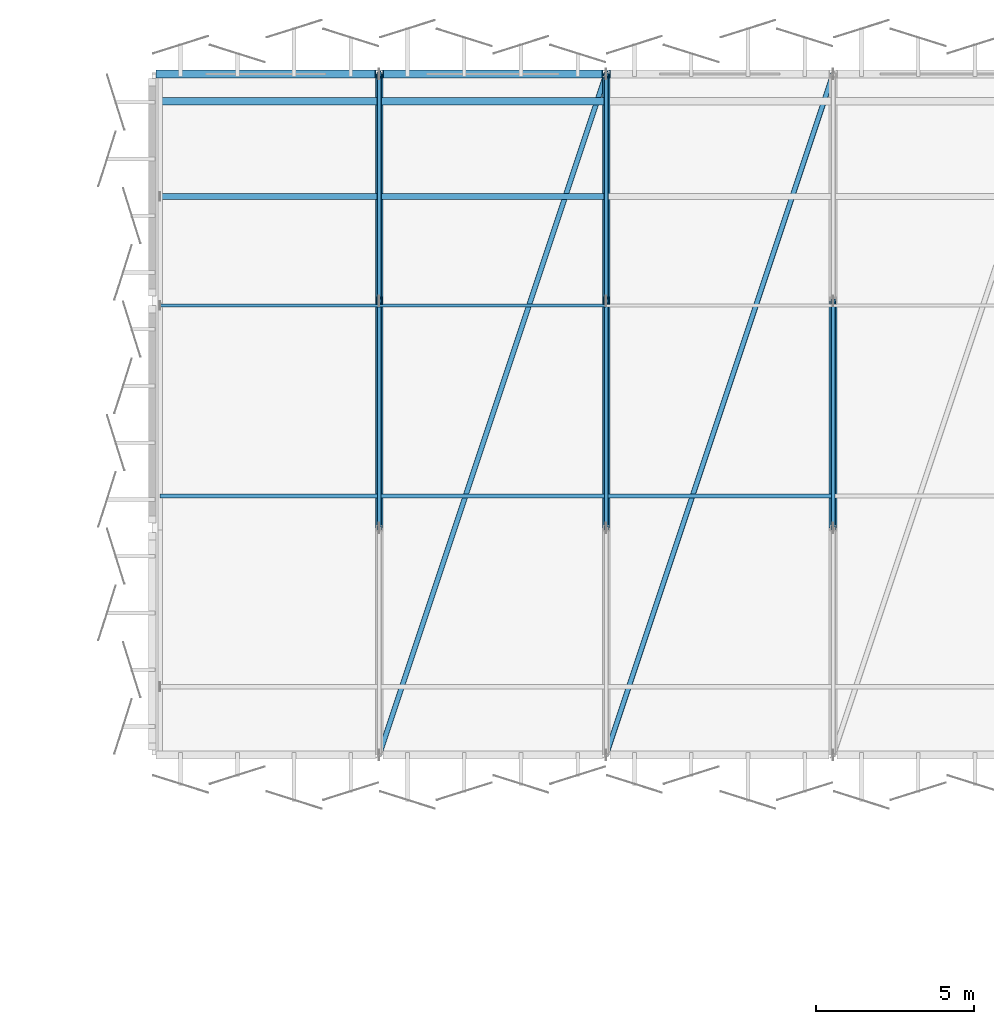
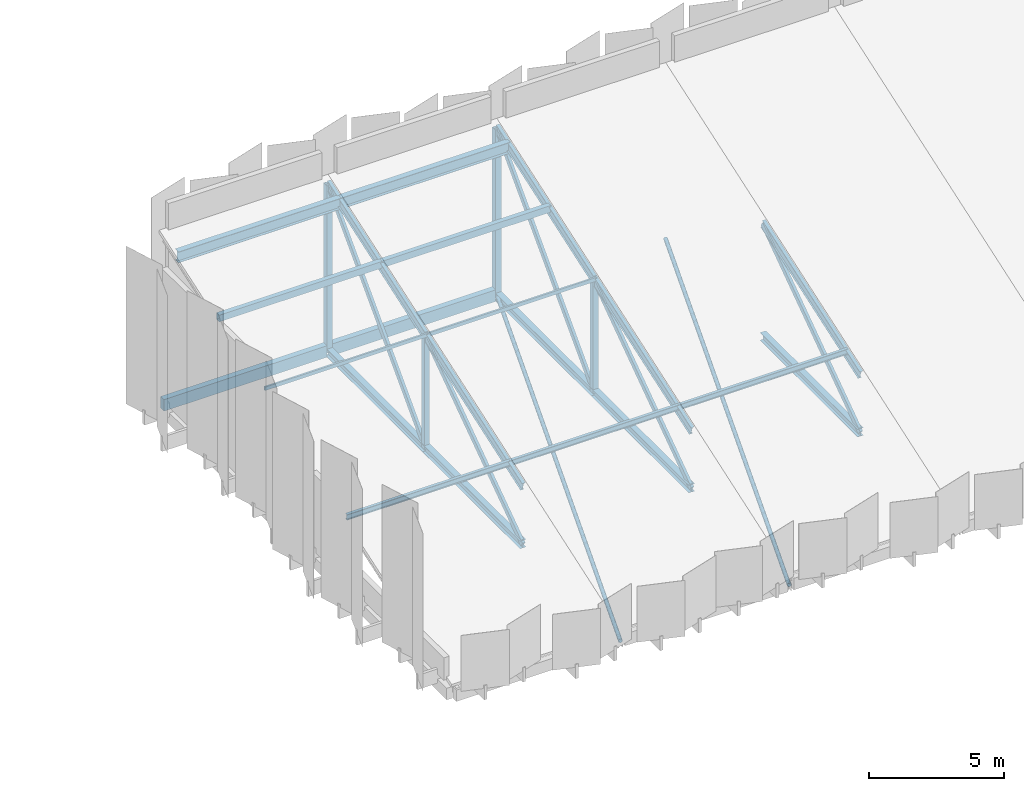
# One storey, part 11 of 59: 30 members, 2 beams.
"""IFC4 building model written with IfcOpenShell, lengths in metres."""

from ifc_helpers import new_model, si_unit, direction, frame, origin, origin_2d, place, context, subcontext, project, spatial, rectangle, hollow_rectangle, hollow_circle, i_section, extrude, material, material_profile, profile_set, type_object, element, save


model = new_model("IFC4")

# Units and contexts
model_context = context("Model", 3, precision=1e-05, world=origin(), true_north=direction((0.0, 1.0)))
body_context = subcontext(model_context, "Body", "Model", "MODEL_VIEW")
ifc_project = project(units=[si_unit("LENGTHUNIT", "METRE"), si_unit("AREAUNIT", "SQUARE_METRE"), si_unit("VOLUMEUNIT", "CUBIC_METRE"), si_unit("PLANEANGLEUNIT", "RADIAN"), si_unit("MASSUNIT", "GRAM", prefix="KILO")], contexts=[model_context])

# Site, building, storey
site_placement = place(None, origin())
site = spatial("IfcSite", under=ifc_project, at=site_placement, CompositionType="ELEMENT")
building_placement = place(site_placement, origin())
building = spatial("IfcBuilding", under=site, at=building_placement, Name="Kangsadwip Square Police Headquarters", CompositionType="ELEMENT")
storey_placement = place(building_placement, frame((0.0, 0.0, 21.60009765625)))
storey = spatial("IfcBuildingStorey", under=building, at=storey_placement, Name="L05", CompositionType="ELEMENT", Elevation=21.60009765625)

# Beams
ifc_material_1 = material(Name="Concrete M35 (35 MPa)", Category="concrete")
ifc_material_profile_1 = material_profile(ifc_material_1, rectangle(XDim=0.25, YDim=0.52001953125, at=origin_2d()), Name="RC SPN 520X250")
ifc_profile_set_1 = profile_set([ifc_material_profile_1], Name="Concrete M35 (35 MPa)")
beam_type = type_object("IfcBeamType", Name="RcSpandrel520x250", PredefinedType="SPANDREL", material=ifc_profile_set_1)
for number, where, z_axis, x_axis, name in (
    (1, (93.72509765625, 115.199951171875, -0.47998046875), (1.0, 0.0, 0.0), (0.0, 1.0, 0.0), "Beam BM-L05-X-13-16"),
    (2, (100.925048828125, 115.199951171875, -0.47998046875), (1.0, 0.0, 0.0), (0.0, 1.0, 0.0), "Beam BM-L05-X-14-16"),
):
    element("IfcBeam", number, at=place(storey_placement, frame(where, z_axis=z_axis, x_axis=x_axis)), inside=storey, type_object=beam_type, Name=name, PredefinedType="SPANDREL", context=body_context, shape_type="SweptSolid", body=[
        extrude(rectangle(XDim=0.25, YDim=0.52001953125, at=origin_2d()), origin(), (0.0, 0.0, 1.0), 6.949951171875),
    ])

# Members
ifc_material_2 = material(Name="Structural steel IS 2062 E350 (Grade 350, 350 MPa)", Category="steel")
ifc_material_profile_2 = material_profile(ifc_material_2, i_section(OverallWidth=0.125, OverallDepth=0.25, WebThickness=0.0068359375, FlangeThickness=0.012451171875, at=origin_2d()), Name="ISMB 250")
ifc_profile_set_2 = profile_set([ifc_material_profile_2], Name="Structural steel IS 2062 E350 (Grade 350, 350 MPa)")
member_type_1 = type_object("IfcMemberType", Name="RoofPurlinIsmb250", PredefinedType="PURLIN", material=ifc_profile_set_2)
member_1_placement = place(storey_placement, frame((93.85009765625, 101.80810546875, 2.5068359375), z_axis=(1.0, 0.0, 0.0), x_axis=(0.0, 1.0, 0.0)))
element("IfcMember", 3, at=member_1_placement, inside=storey, type_object=member_type_1, Name="Truss Member MEM-L05-0198", PredefinedType="PURLIN", context=body_context, shape_type="SweptSolid", body=[
    extrude(i_section(OverallWidth=0.125, OverallDepth=0.25, WebThickness=0.0068359375, FlangeThickness=0.012451171875, at=origin_2d()), origin(), (0.0, 0.0, 1.0), 6.949951171875),
])
for number, where, z_axis, x_axis, name in (
    (4, (100.800048828125, 101.80810546875, 2.5068359375), (1.0, 0.0, 0.0), (0.0, 1.0, 0.0), "Truss Member MEM-L05-0203"),
    (5, (108.0, 101.80810546875, 2.5068359375), (1.0, 0.0, 0.0), (0.0, 1.0, 0.0), "Truss Member MEM-L05-0209"),
):
    element("IfcMember", number, at=place(storey_placement, frame(where, z_axis=z_axis, x_axis=x_axis)), inside=storey, type_object=member_type_1, Name=name, PredefinedType="PURLIN", context=body_context, shape_type="SweptSolid", body=[
        extrude(i_section(OverallWidth=0.125, OverallDepth=0.25, WebThickness=0.0068359375, FlangeThickness=0.012451171875, at=origin_2d()), origin(), (0.0, 0.0, 1.0), 7.199951171875),
    ])
ifc_material_3 = material(Name="Structural steel IS 2062 E350 (Grade 350, 350 MPa)", Category="steel")
ifc_material_profile_3 = material_profile(ifc_material_3, hollow_rectangle(XDim=0.080078125, YDim=0.159912109375, WallThickness=0.006103515625, at=origin_2d()), Name="RHS 160X80X6")
ifc_profile_set_3 = profile_set([ifc_material_profile_3], Name="Structural steel IS 2062 E350 (Grade 350, 350 MPa)")
member_type_2 = type_object("IfcMemberType", Name="RoofPurlinRhs160", PredefinedType="PURLIN", material=ifc_profile_set_3)
member_2_placement = place(storey_placement, frame((93.85009765625, 107.85595703125, 4.6240234375), z_axis=(1.0, 0.0, 0.0), x_axis=(0.0, 1.0, 0.0)))
element("IfcMember", 6, at=member_2_placement, inside=storey, type_object=member_type_2, Name="Truss Member MEM-L05-0199", PredefinedType="PURLIN", context=body_context, shape_type="SweptSolid", body=[
    extrude(hollow_rectangle(XDim=0.080078125, YDim=0.159912109375, WallThickness=0.006103515625, at=origin_2d()), origin(), (0.0, 0.0, 1.0), 6.949951171875),
])
member_3_placement = place(storey_placement, frame((100.800048828125, 107.85595703125, 4.6240234375), z_axis=(1.0, 0.0, 0.0), x_axis=(0.0, 1.0, 0.0)))
element("IfcMember", 7, at=member_3_placement, inside=storey, type_object=member_type_2, Name="Truss Member MEM-L05-0204", PredefinedType="PURLIN", context=body_context, shape_type="SweptSolid", body=[
    extrude(hollow_rectangle(XDim=0.080078125, YDim=0.159912109375, WallThickness=0.006103515625, at=origin_2d()), origin(), (0.0, 0.0, 1.0), 7.199951171875),
])
ifc_material_4 = material(Name="Structural steel IS 2062 E350 (Grade 350, 350 MPa)", Category="steel")
ifc_material_profile_4 = material_profile(ifc_material_4, hollow_rectangle(XDim=0.199951171875, YDim=0.300048828125, WallThickness=0.011962890625, at=origin_2d()), Name="RHS 300X200X12")
ifc_profile_set_4 = profile_set([ifc_material_profile_4], Name="Structural steel IS 2062 E350 (Grade 350, 350 MPa)")
member_type_3 = type_object("IfcMemberType", Name="RoofPurlinRhs300", PredefinedType="PURLIN", material=ifc_profile_set_4)
member_4_placement = place(storey_placement, frame((93.85009765625, 111.31201171875, 5.73779296875), z_axis=(1.0, 0.0, 0.0), x_axis=(0.0, 1.0, 0.0)))
element("IfcMember", 8, at=member_4_placement, inside=storey, type_object=member_type_3, Name="Truss Member MEM-L05-0200", PredefinedType="PURLIN", context=body_context, shape_type="SweptSolid", body=[
    extrude(hollow_rectangle(XDim=0.199951171875, YDim=0.300048828125, WallThickness=0.011962890625, at=origin_2d()), origin(), (0.0, 0.0, 1.0), 6.949951171875),
])
member_5_placement = place(storey_placement, frame((100.800048828125, 111.31201171875, 5.73779296875), z_axis=(1.0, 0.0, 0.0), x_axis=(0.0, 1.0, 0.0)))
element("IfcMember", 9, at=member_5_placement, inside=storey, type_object=member_type_3, Name="Truss Member MEM-L05-0205", PredefinedType="PURLIN", context=body_context, shape_type="SweptSolid", body=[
    extrude(hollow_rectangle(XDim=0.199951171875, YDim=0.300048828125, WallThickness=0.011962890625, at=origin_2d()), origin(), (0.0, 0.0, 1.0), 7.199951171875),
])
ifc_material_5 = material(Name="Structural steel IS 2062 E350 (Grade 350, 350 MPa)", Category="steel")
ifc_material_profile_5 = material_profile(ifc_material_5, hollow_circle(Radius=0.083984375, WallThickness=0.008056640625, at=origin_2d()), Name="CHS 168X8")
ifc_profile_set_5 = profile_set([ifc_material_profile_5], Name="Structural steel IS 2062 E350 (Grade 350, 350 MPa)")
member_type_4 = type_object("IfcMemberType", Name="RoofWindBraceChs168", PredefinedType="BRACE", material=ifc_profile_set_5)
for number, where, z_axis, x_axis, name in (
    (10, (100.800048828125, 93.60009765625, -0.550048828125), (0.316227766017, 0.948683298051, 0.0), (-0.948683298051, 0.316227766017, 0.0), "Truss Member MEM-L05-0207"),
    (11, (108.0, 93.60009765625, -0.550048828125), (0.316227766017, 0.948683298051, 0.0), (-0.948683298051, 0.316227766017, 0.0), "Truss Member MEM-L05-0213"),
):
    element("IfcMember", number, at=place(storey_placement, frame(where, z_axis=z_axis, x_axis=x_axis)), inside=storey, type_object=member_type_4, Name=name, PredefinedType="BRACE", context=body_context, shape_type="SweptSolid", body=[
        extrude(hollow_circle(Radius=0.083984375, WallThickness=0.008056640625, at=origin_2d()), origin(), (0.0, 0.0, 1.0), 22.768310546875),
    ])
ifc_material_6 = material(Name="Structural steel IS 2062 E350 (Grade 350, 350 MPa)", Category="steel")
ifc_material_profile_6 = material_profile(ifc_material_6, i_section(OverallWidth=0.139892578125, OverallDepth=0.39990234375, WebThickness=0.0087890625, FlangeThickness=0.01611328125, at=origin_2d()), Name="ISMB 400")
ifc_profile_set_6 = profile_set([ifc_material_profile_6], Name="Structural steel IS 2062 E350 (Grade 350, 350 MPa)")
member_type_5 = type_object("IfcMemberType", Name="SawtoothRafterIsmb400", PredefinedType="RAFTER", material=ifc_profile_set_6)
for number, where, z_axis, x_axis, name in (
    (12, (100.800048828125, 100.800048828125, 2.046630859375), (0.0, 0.946026616665, 0.324088939275), (-1.0, 0.0, 0.0), "Truss Member MEM-L05-0126"),
    (13, (100.800048828125, 108.0, 4.51318359375), (0.0, 0.946016781172, 0.324117647993), (-1.0, 0.0, 0.0), "Truss Member MEM-L05-0127"),
    (14, (108.0, 100.800048828125, 2.046630859375), (0.0, 0.946026616665, 0.324088939275), (-1.0, 0.0, 0.0), "Truss Member MEM-L05-0138"),
    (15, (108.0, 108.0, 4.51318359375), (0.0, 0.946016781172, 0.324117647993), (-1.0, 0.0, 0.0), "Truss Member MEM-L05-0139"),
    (16, (115.199951171875, 100.800048828125, 2.046630859375), (0.0, 0.946026616665, 0.324088939275), (-1.0, 0.0, 0.0), "Truss Member MEM-L05-0150"),
):
    element("IfcMember", number, at=place(storey_placement, frame(where, z_axis=z_axis, x_axis=x_axis)), inside=storey, type_object=member_type_5, Name=name, PredefinedType="RAFTER", context=body_context, shape_type="SweptSolid", body=[
        extrude(i_section(OverallWidth=0.139892578125, OverallDepth=0.39990234375, WebThickness=0.0087890625, FlangeThickness=0.01611328125, at=origin_2d()), origin(), (0.0, 0.0, 1.0), 7.61083984375),
    ])
ifc_material_7 = material(Name="Structural steel IS 2062 E350 (Grade 350, 350 MPa)", Category="steel")
ifc_material_profile_7 = material_profile(ifc_material_7, i_section(OverallWidth=0.25, OverallDepth=0.35009765625, WebThickness=0.010009765625, FlangeThickness=0.01171875, at=origin_2d()), Name="ISHB 350")
ifc_profile_set_7 = profile_set([ifc_material_profile_7], Name="Structural steel IS 2062 E350 (Grade 350, 350 MPa)")
member_type_6 = type_object("IfcMemberType", Name="TrussBotChordIshb350", PredefinedType="CHORD", material=ifc_profile_set_7)
for number, where, z_axis, x_axis, name in (
    (17, (100.800048828125, 100.800048828125, -0.550048828125), (0.0, 1.0, 0.0), (-1.0, 0.0, 0.0), "Truss Member MEM-L05-0123"),
    (18, (100.800048828125, 108.0, -0.550048828125), (0.0, 1.0, 0.0), (-1.0, 0.0, 0.0), "Truss Member MEM-L05-0124"),
    (19, (108.0, 100.800048828125, -0.550048828125), (0.0, 1.0, 0.0), (-1.0, 0.0, 0.0), "Truss Member MEM-L05-0135"),
    (20, (108.0, 108.0, -0.550048828125), (0.0, 1.0, 0.0), (-1.0, 0.0, 0.0), "Truss Member MEM-L05-0136"),
    (21, (115.199951171875, 100.800048828125, -0.550048828125), (0.0, 1.0, 0.0), (-1.0, 0.0, 0.0), "Truss Member MEM-L05-0147"),
):
    element("IfcMember", number, at=place(storey_placement, frame(where, z_axis=z_axis, x_axis=x_axis)), inside=storey, type_object=member_type_6, Name=name, PredefinedType="CHORD", context=body_context, shape_type="SweptSolid", body=[
        extrude(i_section(OverallWidth=0.25, OverallDepth=0.35009765625, WebThickness=0.010009765625, FlangeThickness=0.01171875, at=origin_2d()), origin(), (0.0, 0.0, 1.0), 7.199951171875),
    ])
ifc_material_8 = material(Name="Structural steel IS 2062 E350 (Grade 350, 350 MPa)", Category="steel")
ifc_material_profile_8 = material_profile(ifc_material_8, hollow_rectangle(XDim=0.1201171875, YDim=0.239990234375, WallThickness=0.008056640625, at=origin_2d()), Name="RHS 240X120X8")
ifc_profile_set_8 = profile_set([ifc_material_profile_8], Name="Structural steel IS 2062 E350 (Grade 350, 350 MPa)")
member_type_7 = type_object("IfcMemberType", Name="TrussBraceRhs240", PredefinedType="BRACE", material=ifc_profile_set_8)
member_6_placement = place(storey_placement, frame((100.800048828125, 100.800048828125, -0.550048828125), z_axis=(0.0, 0.817988169537, 0.575235042828), x_axis=(-1.0, 0.0, 0.0)))
element("IfcMember", 22, at=member_6_placement, inside=storey, type_object=member_type_7, Name="Truss Member MEM-L05-0132", PredefinedType="BRACE", context=body_context, shape_type="SweptSolid", body=[
    extrude(hollow_rectangle(XDim=0.1201171875, YDim=0.239990234375, WallThickness=0.008056640625, at=origin_2d()), origin(), (0.0, 0.0, 1.0), 8.802001953125),
])
member_7_placement = place(storey_placement, frame((100.800048828125, 108.0, -0.550048828125), z_axis=(0.0, 0.691088022284, 0.722770603619), x_axis=(-1.0, 0.0, 0.0)))
element("IfcMember", 23, at=member_7_placement, inside=storey, type_object=member_type_7, Name="Truss Member MEM-L05-0133", PredefinedType="BRACE", context=body_context, shape_type="SweptSolid", body=[
    extrude(hollow_rectangle(XDim=0.1201171875, YDim=0.239990234375, WallThickness=0.008056640625, at=origin_2d()), origin(), (0.0, 0.0, 1.0), 10.418212890625),
])
member_8_placement = place(storey_placement, frame((108.0, 100.800048828125, -0.550048828125), z_axis=(0.0, 0.817988169537, 0.575235042828), x_axis=(-1.0, 0.0, 0.0)))
element("IfcMember", 24, at=member_8_placement, inside=storey, type_object=member_type_7, Name="Truss Member MEM-L05-0144", PredefinedType="BRACE", context=body_context, shape_type="SweptSolid", body=[
    extrude(hollow_rectangle(XDim=0.1201171875, YDim=0.239990234375, WallThickness=0.008056640625, at=origin_2d()), origin(), (0.0, 0.0, 1.0), 8.802001953125),
])
member_9_placement = place(storey_placement, frame((108.0, 108.0, -0.550048828125), z_axis=(0.0, 0.691088022284, 0.722770603619), x_axis=(-1.0, 0.0, 0.0)))
element("IfcMember", 25, at=member_9_placement, inside=storey, type_object=member_type_7, Name="Truss Member MEM-L05-0145", PredefinedType="BRACE", context=body_context, shape_type="SweptSolid", body=[
    extrude(hollow_rectangle(XDim=0.1201171875, YDim=0.239990234375, WallThickness=0.008056640625, at=origin_2d()), origin(), (0.0, 0.0, 1.0), 10.418212890625),
])
member_10_placement = place(storey_placement, frame((115.199951171875, 100.800048828125, -0.550048828125), z_axis=(0.0, 0.817988169537, 0.575235042828), x_axis=(-1.0, 0.0, 0.0)))
element("IfcMember", 26, at=member_10_placement, inside=storey, type_object=member_type_7, Name="Truss Member MEM-L05-0156", PredefinedType="BRACE", context=body_context, shape_type="SweptSolid", body=[
    extrude(hollow_rectangle(XDim=0.1201171875, YDim=0.239990234375, WallThickness=0.008056640625, at=origin_2d()), origin(), (0.0, 0.0, 1.0), 8.802001953125),
])
ifc_material_9 = material(Name="Structural steel IS 2062 E350 (Grade 350, 350 MPa)", Category="steel")
ifc_material_profile_9 = material_profile(ifc_material_9, hollow_rectangle(XDim=0.219970703125, YDim=0.219970703125, WallThickness=0.010009765625, at=origin_2d()), Name="SHS 220X220X10")
ifc_profile_set_9 = profile_set([ifc_material_profile_9], Name="Structural steel IS 2062 E350 (Grade 350, 350 MPa)")
member_type_8 = type_object("IfcMemberType", Name="TrussPostShs220", PredefinedType="POST", material=ifc_profile_set_9)
for number, where, z_axis, x_axis, name in (
    (27, (100.800048828125, 108.0, -0.550048828125), (0.0, 0.0, 1.0), (1.0, 0.0, 0.0), "Truss Member MEM-L05-0129"),
    (28, (108.0, 108.0, -0.550048828125), (0.0, 0.0, 1.0), (1.0, 0.0, 0.0), "Truss Member MEM-L05-0141"),
):
    element("IfcMember", number, at=place(storey_placement, frame(where, z_axis=z_axis, x_axis=x_axis)), inside=storey, type_object=member_type_8, Name=name, PredefinedType="POST", context=body_context, shape_type="SweptSolid", body=[
        extrude(hollow_rectangle(XDim=0.219970703125, YDim=0.219970703125, WallThickness=0.010009765625, at=origin_2d()), origin(), (0.0, 0.0, 1.0), 5.063232421875),
    ])
ifc_material_10 = material(Name="Structural steel IS 2062 E350 (Grade 350, 350 MPa)", Category="steel")
ifc_material_profile_10 = material_profile(ifc_material_10, hollow_rectangle(XDim=0.25, YDim=0.25, WallThickness=0.011962890625, at=origin_2d()), Name="SHS 250X250X12")
ifc_profile_set_10 = profile_set([ifc_material_profile_10], Name="Structural steel IS 2062 E350 (Grade 350, 350 MPa)")
member_type_9 = type_object("IfcMemberType", Name="TrussPostShs250", PredefinedType="POST", material=ifc_profile_set_10)
for number, where, z_axis, x_axis, name in (
    (29, (100.800048828125, 115.199951171875, -0.550048828125), (0.0, 0.0, 1.0), (1.0, 0.0, 0.0), "Truss Member MEM-L05-0130"),
    (30, (108.0, 115.199951171875, -0.550048828125), (0.0, 0.0, 1.0), (1.0, 0.0, 0.0), "Truss Member MEM-L05-0142"),
):
    element("IfcMember", number, at=place(storey_placement, frame(where, z_axis=z_axis, x_axis=x_axis)), inside=storey, type_object=member_type_9, Name=name, PredefinedType="POST", context=body_context, shape_type="SweptSolid", body=[
        extrude(hollow_rectangle(XDim=0.25, YDim=0.25, WallThickness=0.011962890625, at=origin_2d()), origin(), (0.0, 0.0, 1.0), 7.530029296875),
    ])
ifc_material_11 = material(Name="Structural steel IS 2062 E350 (Grade 350, 350 MPa)", Category="steel")
ifc_material_profile_11 = material_profile(ifc_material_11, i_section(OverallWidth=0.25, OverallDepth=0.5, WebThickness=0.010009765625, FlangeThickness=0.0146484375, at=origin_2d()), Name="ISWB 500")
ifc_profile_set_11 = profile_set([ifc_material_profile_11], Name="Structural steel IS 2062 E350 (Grade 350, 350 MPa)")
member_type_10 = type_object("IfcMemberType", Name="TrussTopChordIswb500", PredefinedType="CHORD", material=ifc_profile_set_11)
member_11_placement = place(storey_placement, frame((93.85009765625, 114.3359375, 6.673828125), z_axis=(1.0, 0.0, 0.0), x_axis=(0.0, 1.0, 0.0)))
element("IfcMember", 31, at=member_11_placement, inside=storey, type_object=member_type_10, Name="Truss Member MEM-L05-0201", PredefinedType="CHORD", context=body_context, shape_type="SweptSolid", body=[
    extrude(i_section(OverallWidth=0.25, OverallDepth=0.5, WebThickness=0.010009765625, FlangeThickness=0.0146484375, at=origin_2d()), origin(), (0.0, 0.0, 1.0), 6.949951171875),
])
member_12_placement = place(storey_placement, frame((100.800048828125, 114.3359375, 6.673828125), z_axis=(1.0, 0.0, 0.0), x_axis=(0.0, 1.0, 0.0)))
element("IfcMember", 32, at=member_12_placement, inside=storey, type_object=member_type_10, Name="Truss Member MEM-L05-0206", PredefinedType="CHORD", context=body_context, shape_type="SweptSolid", body=[
    extrude(i_section(OverallWidth=0.25, OverallDepth=0.5, WebThickness=0.010009765625, FlangeThickness=0.0146484375, at=origin_2d()), origin(), (0.0, 0.0, 1.0), 7.199951171875),
])

save(model, "model.ifc")
